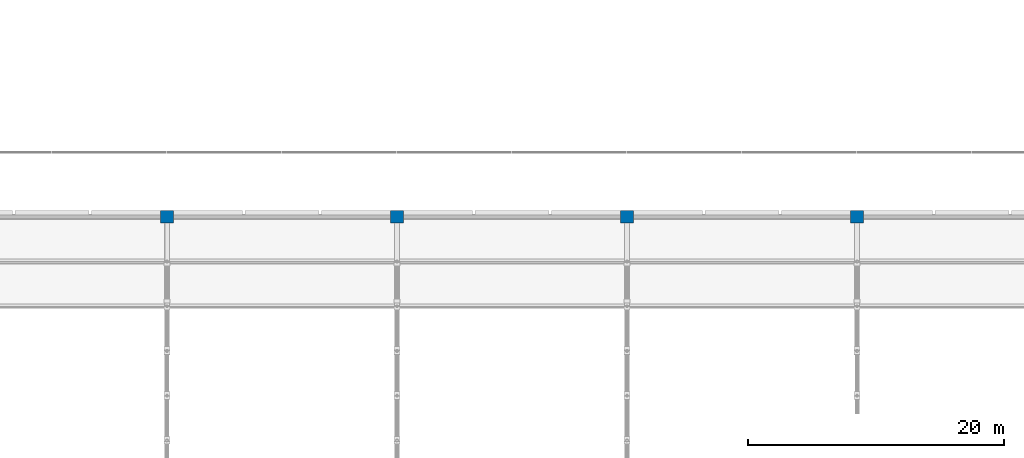
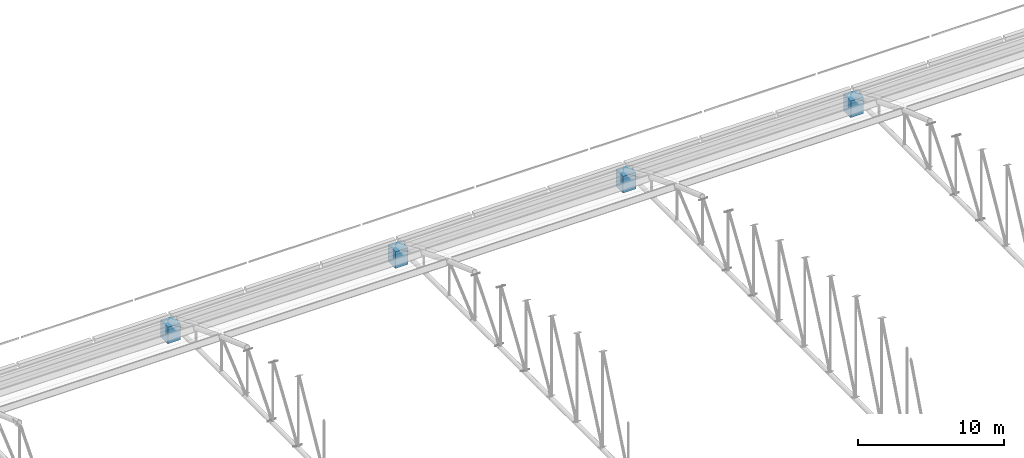
# One storey, part 19 of 196: 4 columns.
"""IFC4 building model written with IfcOpenShell, lengths in metres."""

from ifc_helpers import new_model, si_unit, direction, frame, origin, origin_2d, place, context, subcontext, project, spatial, rectangle, extrude, material, material_profile, profile_set, type_object, element, save


model = new_model("IFC4")

# Units and contexts
model_context = context("Model", 3, precision=1e-05, world=origin(), true_north=direction((0.0, 1.0)))
body_context = subcontext(model_context, "Body", "Model", "MODEL_VIEW")
ifc_project = project(units=[si_unit("LENGTHUNIT", "METRE"), si_unit("AREAUNIT", "SQUARE_METRE"), si_unit("VOLUMEUNIT", "CUBIC_METRE"), si_unit("PLANEANGLEUNIT", "RADIAN"), si_unit("MASSUNIT", "GRAM", prefix="KILO")], contexts=[model_context])

# Site, building, storey
site_placement = place(None, origin())
site = spatial("IfcSite", under=ifc_project, at=site_placement, CompositionType="ELEMENT")
building_placement = place(site_placement, origin())
building = spatial("IfcBuilding", under=site, at=building_placement, Name="Okhra Congress Centre", CompositionType="ELEMENT")
storey_placement = place(building_placement, frame((0.0, 0.0, 12.0)))
storey = spatial("IfcBuildingStorey", under=building, at=storey_placement, Name="L02", CompositionType="ELEMENT", Elevation=12.0)

# Columns
ifc_material = material(Name="Concrete C40/50", Category="concrete")
ifc_material_profile = material_profile(ifc_material, rectangle(XDim=1.0, YDim=1.0, at=origin_2d()), Name="RC 1000x1000")
ifc_profile_set = profile_set([ifc_material_profile], Name="Concrete C40/50")
column_type = type_object("IfcColumnType", Name="RC column 1000x1000 C40/50", PredefinedType="COLUMN", material=ifc_profile_set)
for number, where, z_axis, x_axis, name in (
    (1, (64.0, 216.0, 0.0), (0.0, 0.0, 1.0), (1.0, 0.0, 0.0), "EH.COL.L02.SC6"),
    (2, (82.0, 216.0, 0.0), (0.0, 0.0, 1.0), (1.0, 0.0, 0.0), "EH.COL.L02.SC8"),
    (3, (100.0, 216.0, 0.0), (0.0, 0.0, 1.0), (1.0, 0.0, 0.0), "EH.COL.L02.SC10"),
    (4, (118.0, 216.0, 0.0), (0.0, 0.0, 1.0), (1.0, 0.0, 0.0), "EH.COL.L02.SC12"),
):
    element("IfcColumn", number, at=place(storey_placement, frame(where, z_axis=z_axis, x_axis=x_axis)), inside=storey, type_object=column_type, Name=name, PredefinedType="COLUMN", context=body_context, shape_type="SweptSolid", body=[
        extrude(rectangle(XDim=1.0, YDim=1.0, at=origin_2d()), origin(), (0.0, 0.0, 1.0), 1.39990234375),
    ])

save(model, "model.ifc")
